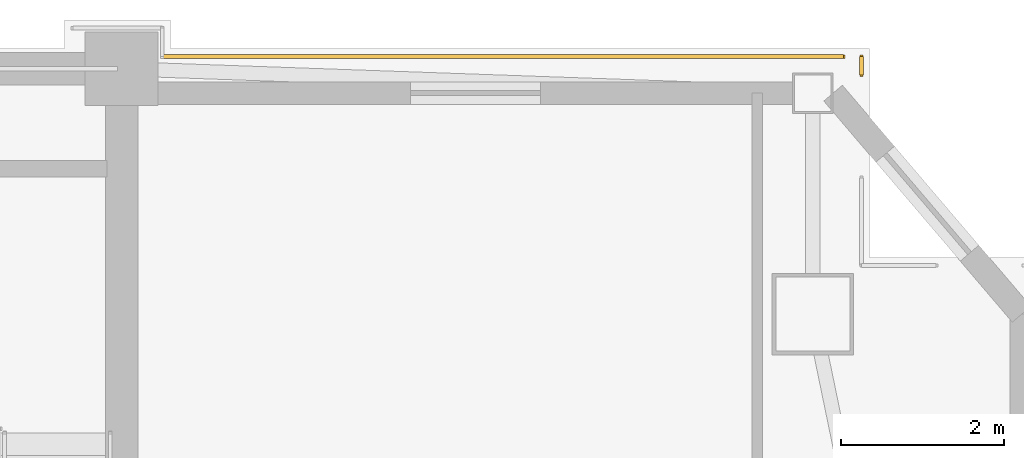
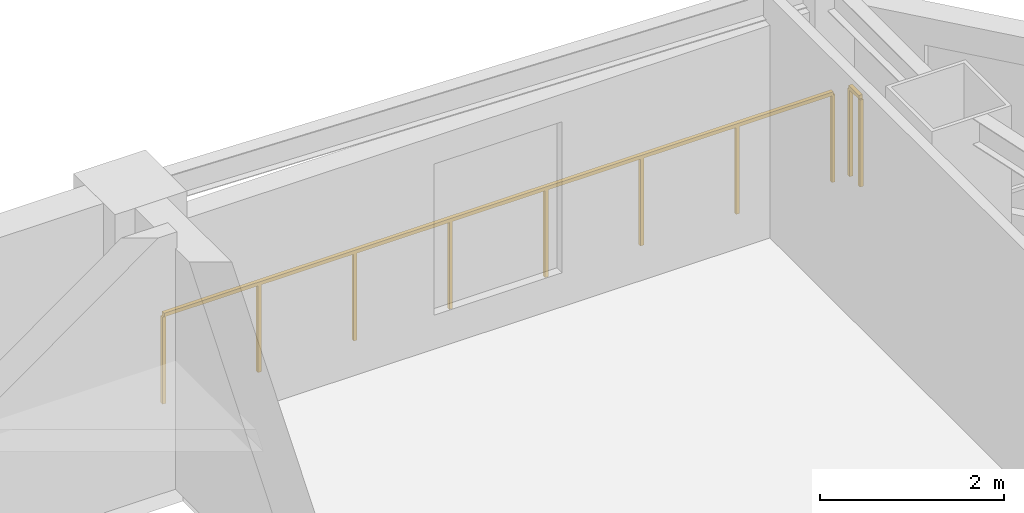
# One storey, part 18 of 18: 2 railings.
"""IFC4 building model written with IfcOpenShell, lengths in metres."""

import ifcopenshell
import ifcopenshell.guid

model = None  # the IFC model being written
_history = None  # IfcOwnerHistory: only IFC2X3 demands one
_inside = {}  # id of a spatial element -> (the spatial element, [elements in it])
_under = {}  # id of a project, library or spatial element -> (it, [spatial elements below it])
_declared = {}  # id of a project -> (the project, [libraries it declares])
_typed = {}  # id of a type object -> (the type object, [elements of that type])
_made_of = {}  # id of a material, layer set ... -> (it, [elements and type objects made of it])


def new_model(schema):
    """Start an empty IFC model of exactly this schema.

    Asked for "IFC4X3", IfcOpenShell would pick the latest addendum, in which some entities
    have other attributes; the version numbers below select the first issue.
    IFC2X3 requires an IfcOwnerHistory on every rooted entity: one is made here for all.
    """
    global model, _history
    if schema == "IFC4X3":
        model = ifcopenshell.file(schema_version=(4, 3, 0, 0))
    else:
        model = ifcopenshell.file(schema=schema)
    _inside.clear()
    _under.clear()
    _declared.clear()
    _typed.clear()
    _made_of.clear()
    _history = None
    if model.schema == "IFC2X3":
        org = make("IfcOrganization", Name="unknown")
        user = make(
            "IfcPersonAndOrganization",
            ThePerson=make("IfcPerson", FamilyName="unknown"),
            TheOrganization=org,
        )
        app = make(
            "IfcApplication",
            ApplicationDeveloper=org,
            Version="unknown",
            ApplicationFullName="unknown",
            ApplicationIdentifier="unknown",
        )
        _history = make(
            "IfcOwnerHistory",
            OwningUser=user,
            OwningApplication=app,
            ChangeAction="ADDED",
            CreationDate=0,
        )
    return model


def make(cls, **values):
    """One entity of the class cls with the attributes given. An attribute that is None is left unset."""
    return model.create_entity(
        cls, **{name: value for name, value in values.items() if value is not None}
    )


def rooted(cls, **values):
    """An entity with a GlobalId (a new one), such as an element, a storey or a relation."""
    return make(cls, GlobalId=ifcopenshell.guid.new(), OwnerHistory=_history, **values)


def si_unit(unit_type, name, prefix=None):
    """IfcSIUnit, for example si_unit("LENGTHUNIT", "METRE", prefix="MILLI")."""
    return make("IfcSIUnit", UnitType=unit_type, Prefix=prefix, Name=name)


def assignment(units):
    """IfcUnitAssignment: the units of a project."""
    return None if units is None else make("IfcUnitAssignment", Units=units)


def point(xyz):
    """IfcCartesianPoint."""
    return None if xyz is None else make("IfcCartesianPoint", Coordinates=xyz)


def direction(xyz):
    """IfcDirection."""
    return None if xyz is None else make("IfcDirection", DirectionRatios=xyz)


def frame(location, z_axis=None, x_axis=None):
    """IfcAxis2Placement3D, a coordinate frame: its origin and axes. An axis left out is left unset."""
    return make(
        "IfcAxis2Placement3D",
        Location=point(location),
        Axis=direction(z_axis),
        RefDirection=direction(x_axis),
    )


def frame_2d(location, x_axis=None):
    """IfcAxis2Placement2D, a coordinate frame in the plane: its origin and x axis."""
    return make(
        "IfcAxis2Placement2D", Location=point(location), RefDirection=direction(x_axis)
    )


def origin():
    """The frame at (0, 0, 0) with its axes left unset."""
    return frame((0.0, 0.0, 0.0))


def origin_2d():
    """The frame at (0, 0) in the plane with its x axis left unset."""
    return frame_2d((0.0, 0.0))


def place(relative_to, where):
    """IfcLocalPlacement: puts the frame where relative to a parent placement (None: the world)."""
    return make(
        "IfcLocalPlacement", PlacementRelTo=relative_to, RelativePlacement=where
    )


def context(
    kind, dimensions, precision=None, world=None, true_north=None, identifier=None
):
    """IfcGeometricRepresentationContext, for example the 3D "Model" context."""
    return make(
        "IfcGeometricRepresentationContext",
        ContextIdentifier=identifier,
        ContextType=kind,
        CoordinateSpaceDimension=dimensions,
        Precision=precision,
        WorldCoordinateSystem=world,
        TrueNorth=true_north,
    )


def subcontext(parent, identifier, kind, view, scale=None):
    """IfcGeometricRepresentationSubContext, for example "Body" below "Model"."""
    return make(
        "IfcGeometricRepresentationSubContext",
        ContextIdentifier=identifier,
        ContextType=kind,
        ParentContext=parent,
        TargetScale=scale,
        TargetView=view,
    )


def project(units=None, contexts=None):
    """IfcProject with its units and contexts."""
    return rooted(
        "IfcProject",
        Name="project",
        RepresentationContexts=contexts,
        UnitsInContext=assignment(units),
    )


def spatial(cls, under=None, at=None, **own):
    """A site, building, storey or space (cls), placed at a placement, below another one or the project."""
    s = rooted(cls, ObjectPlacement=at, **own)
    if under is not None:
        _under.setdefault(under.id(), (under, []))[1].append(s)
    return s


def profile(cls, at=None, kind="AREA", **sizes):
    """A parametric profile (cls). Its sizes go by their IFC names, for example OverallWidth=200.0."""
    return make(cls, ProfileType=kind, Position=at, **sizes)


def rectangle(**sizes):
    """IfcRectangleProfileDef."""
    return profile("IfcRectangleProfileDef", **sizes)


def extrude(swept, where, along, depth):
    """IfcExtrudedAreaSolid: the profile swept, set in the frame where, extruded along a direction by depth."""
    return make(
        "IfcExtrudedAreaSolid",
        SweptArea=swept,
        Position=where,
        ExtrudedDirection=direction(along),
        Depth=depth,
    )


def shape(context_of_items, identifier, shape_type, items):
    """IfcShapeRepresentation: the items that make up one representation, for example the "Body"."""
    return make(
        "IfcShapeRepresentation",
        ContextOfItems=context_of_items,
        RepresentationIdentifier=identifier,
        RepresentationType=shape_type,
        Items=items,
    )


def material(Name=None, Category=None):
    """IfcMaterial."""
    return make("IfcMaterial", Name=Name, Category=Category)


def made_of(thing, what):
    """Note that an element or type object is made of a material, layer set ...; save() writes the relation."""
    if what is not None:
        _made_of.setdefault(what.id(), (what, []))[1].append(thing)
    return thing


def type_object(cls, material=None, **own):
    """A type object (cls), such as IfcWallType, which elements share."""
    return made_of(rooted(cls, **own), material)


def element(
    cls,
    number,
    at=None,
    inside=None,
    cuts=None,
    type_object=None,
    material=None,
    context=None,
    identifier="Body",
    shape_type=None,
    held_by="IfcProductDefinitionShape",
    body=None,
    shapes=None,
    **own,
):
    """One element of the class cls, such as IfcWall. Its Tag is "e" and its number.

    at: its placement. inside: the storey or other place that contains it. cuts: it is an
    opening in that element (IfcRelVoidsElement). A single representation is given by context,
    identifier, shape_type and body (its items); several are given by shapes. held_by: the class
    of the entity that holds the representations. save() writes the other relations.
    """
    e = rooted(cls, Tag="e%d" % number, ObjectPlacement=at, **own)
    if body is not None:
        shapes = [shape(context, identifier, shape_type, body)]
    if shapes is not None:
        e.Representation = make(held_by, Representations=shapes)
    if inside is not None:
        _inside.setdefault(inside.id(), (inside, []))[1].append(e)
    if cuts is not None:
        rooted(
            "IfcRelVoidsElement", RelatingBuildingElement=cuts, RelatedOpeningElement=e
        )
    if type_object is not None:
        _typed.setdefault(type_object.id(), (type_object, []))[1].append(e)
    return made_of(e, material)


def aggregate(whole, parts):
    """IfcRelAggregates: a whole, such as a stair, and the parts it consists of."""
    return rooted("IfcRelAggregates", RelatingObject=whole, RelatedObjects=parts)


def save(model, path):
    """Write the relations noted so far, then the file.

    IfcRelAggregates (storeys below a building ...), IfcRelContainedInSpatialStructure (elements
    in a storey), IfcRelDefinesByType, IfcRelAssociatesMaterial and IfcRelDeclares: one each for
    every whole, place, type object, material and project.
    """
    for whole, parts in _under.values():
        aggregate(whole, parts)
    for where, things in _inside.values():
        rooted(
            "IfcRelContainedInSpatialStructure",
            RelatedElements=things,
            RelatingStructure=where,
        )
    for kind, things in _typed.values():
        rooted("IfcRelDefinesByType", RelatedObjects=things, RelatingType=kind)
    for what, things in _made_of.values():
        rooted("IfcRelAssociatesMaterial", RelatedObjects=things, RelatingMaterial=what)
    for by, libraries in _declared.values():
        rooted("IfcRelDeclares", RelatingContext=by, RelatedDefinitions=libraries)
    model.write(path)


model = new_model("IFC4")

# Units and contexts
model_context = context("Model", 3, precision=1e-05, world=origin(), true_north=direction((0.0, 1.0)))
body_context = subcontext(model_context, "Body", "Model", "MODEL_VIEW")
ifc_project = project(units=[si_unit("LENGTHUNIT", "METRE"), si_unit("AREAUNIT", "SQUARE_METRE"), si_unit("VOLUMEUNIT", "CUBIC_METRE"), si_unit("PLANEANGLEUNIT", "RADIAN"), si_unit("MASSUNIT", "GRAM", prefix="KILO")], contexts=[model_context])

# Site, building, storey
site_placement = place(None, origin())
site = spatial("IfcSite", under=ifc_project, at=site_placement, CompositionType="ELEMENT")
building_placement = place(site_placement, origin())
building = spatial("IfcBuilding", under=site, at=building_placement, Name="Giltprow Tower", CompositionType="ELEMENT")
storey_placement = place(building_placement, frame((0.0, 0.0, 258.699951171875)))
storey = spatial("IfcBuildingStorey", under=building, at=storey_placement, Name="L66", CompositionType="ELEMENT", Elevation=258.699951171875)

# Railings
ifc_material = material(Name="Anodized bronze", Category="metal")
railing_type = type_object("IfcRailingType", Name="RAIL-BALC-GUARD-1200", PredefinedType="BALUSTRADE", material=ifc_material)
railing_1_placement = place(storey_placement, frame((51.050048828125, 46.698974609375, 0.0)))
element("IfcRailing", 1, at=railing_1_placement, inside=storey, type_object=railing_type, Name="L66 Corner Apron Edge Balustrade 27", PredefinedType="BALUSTRADE", context=body_context, shape_type="SweptSolid", body=[
    extrude(rectangle(XDim=0.048095703125, YDim=0.048095703125, at=origin_2d()), frame((0.0, 0.0, 1.17578125), z_axis=(1.0, 0.0, 0.0), x_axis=(0.0, 1.0, 0.0)), (0.0, 0.0, 1.0), 8.37890625),
    extrude(rectangle(XDim=0.0419921875, YDim=0.0419921875, at=origin_2d()), origin(), (0.0, 0.0, 1.0), 1.15185546875),
    extrude(rectangle(XDim=0.0419921875, YDim=0.0419921875, at=origin_2d()), frame((1.197021484375, 0.0, 0.0)), (0.0, 0.0, 1.0), 1.15185546875),
    extrude(rectangle(XDim=0.0419921875, YDim=0.0419921875, at=origin_2d()), frame((2.39404296875, 0.0, 0.0)), (0.0, 0.0, 1.0), 1.15185546875),
    extrude(rectangle(XDim=0.0419921875, YDim=0.0419921875, at=origin_2d()), frame((3.591064453125, 0.0, 0.0)), (0.0, 0.0, 1.0), 1.15185546875),
    extrude(rectangle(XDim=0.0419921875, YDim=0.0419921875, at=origin_2d()), frame((4.787841796875, 0.0, 0.0)), (0.0, 0.0, 1.0), 1.15185546875),
    extrude(rectangle(XDim=0.0419921875, YDim=0.0419921875, at=origin_2d()), frame((5.98486328125, 0.0, 0.0)), (0.0, 0.0, 1.0), 1.15185546875),
    extrude(rectangle(XDim=0.0419921875, YDim=0.0419921875, at=origin_2d()), frame((7.181884765625, 0.0, 0.0)), (0.0, 0.0, 1.0), 1.15185546875),
    extrude(rectangle(XDim=0.0419921875, YDim=0.0419921875, at=origin_2d()), frame((8.37890625, 0.0, 0.0)), (0.0, 0.0, 1.0), 1.15185546875),
])
railing_2_placement = place(storey_placement, frame((59.652099609375, 46.698974609375, 0.0)))
element("IfcRailing", 2, at=railing_2_placement, inside=storey, type_object=railing_type, Name="L66 Corner Apron Edge Balustrade 28", PredefinedType="BALUSTRADE", context=body_context, shape_type="SweptSolid", body=[
    extrude(rectangle(XDim=0.048095703125, YDim=0.048095703125, at=origin_2d()), frame((0.0, 0.0, 1.17578125), z_axis=(0.0, -1.0, 0.0), x_axis=(1.0, 0.0, 0.0)), (0.0, 0.0, 1.0), 0.22607421875),
    extrude(rectangle(XDim=0.0419921875, YDim=0.0419921875, at=origin_2d()), origin(), (0.0, 0.0, 1.0), 1.15185546875),
    extrude(rectangle(XDim=0.0419921875, YDim=0.0419921875, at=origin_2d()), frame((0.0, -0.22607421875, 0.0)), (0.0, 0.0, 1.0), 1.15185546875),
])

save(model, "model.ifc")
